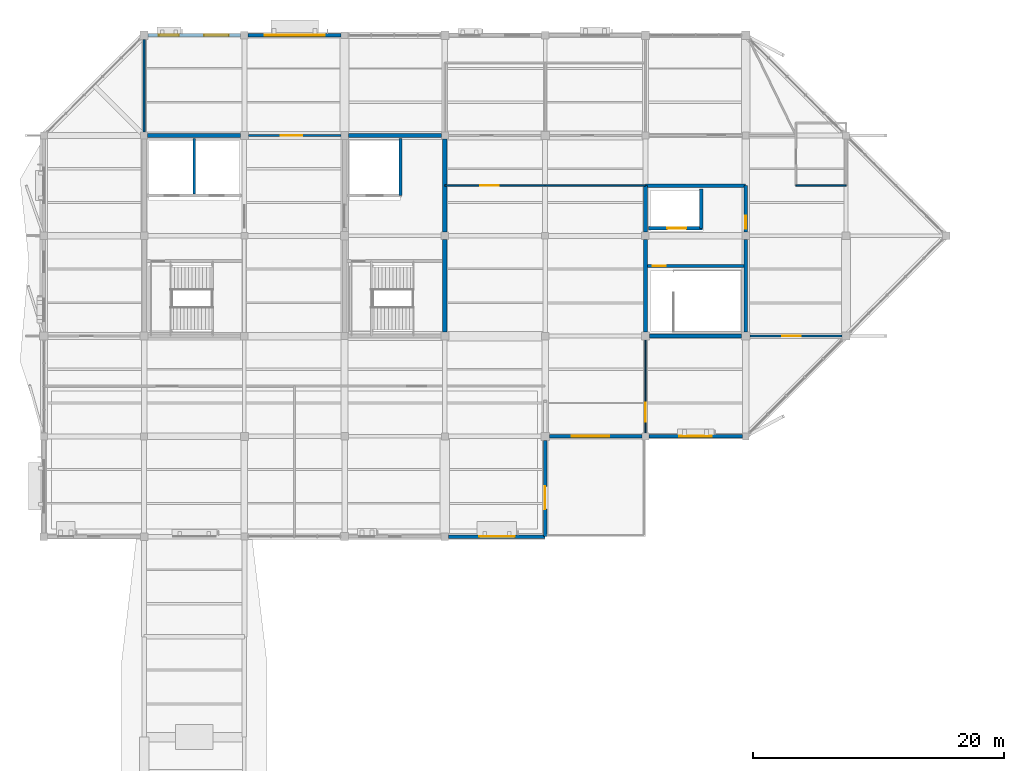
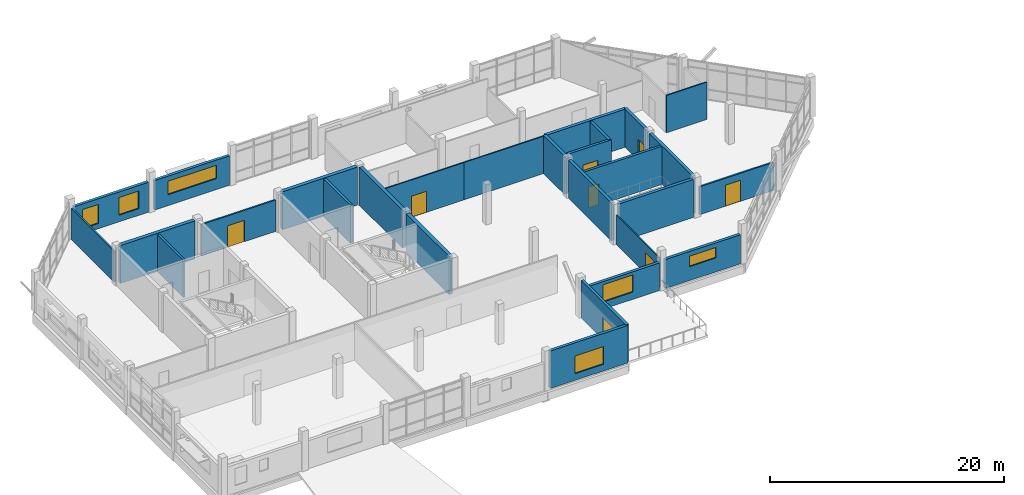
# One storey, part 65 of 72: 28 walls, 8 doors, 6 windows, 14 openings.
"""IFC4 building model written with IfcOpenShell, lengths in metres."""

from ifc_helpers import new_model, si_unit, direction, frame, frame_2d, origin, place, context, subcontext, project, spatial, rectangle, extrude, material, layer, layer_set, type_object, element, fill, save


model = new_model("IFC4")

# Units and contexts
model_context = context("Model", 3, precision=1e-05, world=origin(), true_north=direction((0.0, 1.0)))
body_context = subcontext(model_context, "Body", "Model", "MODEL_VIEW")
ifc_project = project(units=[si_unit("LENGTHUNIT", "METRE"), si_unit("AREAUNIT", "SQUARE_METRE"), si_unit("VOLUMEUNIT", "CUBIC_METRE"), si_unit("PLANEANGLEUNIT", "RADIAN"), si_unit("MASSUNIT", "GRAM", prefix="KILO")], contexts=[model_context])

# Site, building, storey
site_placement = place(None, origin())
site = spatial("IfcSite", under=ifc_project, at=site_placement, CompositionType="ELEMENT")
building_placement = place(site_placement, origin())
building = spatial("IfcBuilding", under=site, at=building_placement, Name="Tenunan Teduh Sports Hall", CompositionType="ELEMENT")
storey_placement = place(building_placement, frame((0.0, 0.0, 15.0)))
storey = spatial("IfcBuildingStorey", under=building, at=storey_placement, Name="L03", CompositionType="ELEMENT", Elevation=15.0)

# Wall
ifc_material_1 = material(Name="Concrete C40/50", Category="concrete")
ifc_layer_1 = layer(ifc_material_1, 0.25)
ifc_layer_set_1 = layer_set([ifc_layer_1], Name="Concrete C40/50")
wall_type_1 = type_object("IfcWallType", Name="WL-COR-250", PredefinedType="SOLIDWALL", material=ifc_layer_set_1)
wall_1_placement = place(storey_placement, frame((34.449951171875, 105.199951171875, 0.0), z_axis=(0.0, 0.0, 1.0), x_axis=(0.0, 1.0, 0.0)))
element("IfcWall", 1, at=wall_1_placement, inside=storey, type_object=wall_type_1, Name="WL-COR-L03-099", PredefinedType="SOLIDWALL", context=body_context, shape_type="SweptSolid", body=[
    extrude(rectangle(XDim=4.550048828125, YDim=0.25, at=frame_2d((2.27490234375, 0.0))), origin(), (0.0, 0.0, 1.0), 3.97998046875),
])

# Wall, opening, door
wall_2_placement = place(storey_placement, frame((54.14990234375, 99.60009765625, 0.0), z_axis=(0.0, 0.0, 1.0), x_axis=(1.0, 0.0, 0.0)))
wall_2 = element("IfcWall", 2, at=wall_2_placement, inside=storey, type_object=wall_type_1, Name="WL-COR-L03-151", PredefinedType="SOLIDWALL", context=body_context, shape_type="SweptSolid", body=[
    extrude(rectangle(XDim=7.7001953125, YDim=0.25, at=frame_2d((3.85009765625, 0.0))), origin(), (0.0, 0.0, 1.0), 3.97998046875),
])
opening_1_placement = place(wall_2_placement, frame((0.449951171875, 0.0, 0.0)))
opening_1 = element("IfcOpeningElement", 3, at=opening_1_placement, cuts=wall_2, Name="Opening FD-01", PredefinedType="OPENING", context=body_context, shape_type="SweptSolid", body=[
    extrude(rectangle(XDim=1.0, YDim=2.199951171875, at=frame_2d((0.5, 1.10009765625))), frame((0.0, 0.135009765625, 0.0), z_axis=(0.0, -1.0, 0.0), x_axis=(1.0, 0.0, 0.0)), (0.0, 0.0, 1.0), 0.27001953125),
])
ifc_material_2 = material(Name="Fire-rated steel leaf and frame", Category="steel")
door_type_1 = type_object("IfcDoorType", Name="FDR-01", OperationType="SINGLE_SWING_LEFT", PredefinedType="DOOR", material=ifc_material_2)
door_1_placement = place(opening_1_placement, frame((1.0, 0.0, 0.0), z_axis=(0.0, 0.0, 1.0), x_axis=(-1.0, 0.0, 0.0)))
door_1 = element("IfcDoor", 4, at=door_1_placement, inside=storey, type_object=door_type_1, Name="DR-INT-L03-057", OperationType="SINGLE_SWING_RIGHT", OverallHeight=2.199951171875, OverallWidth=1.0, PredefinedType="DOOR", context=body_context, shape_type="SweptSolid", body=[
    extrude(rectangle(XDim=1.0, YDim=2.199951171875, at=frame_2d((0.5, 1.10009765625))), frame((0.0, 0.02490234375, 0.0), z_axis=(0.0, -1.0, 0.0), x_axis=(1.0, 0.0, 0.0)), (0.0, 0.0, 1.0), 0.050048828125),
])
fill(opening_1, door_1)

wall_3_placement = place(storey_placement, frame((54.25, 102.60009765625, 0.0), z_axis=(0.0, 0.0, 1.0), x_axis=(1.0, 0.0, 0.0)))
wall_3 = element("IfcWall", 5, at=wall_3_placement, inside=storey, type_object=wall_type_1, Name="WL-COR-L03-152", PredefinedType="SOLIDWALL", context=body_context, shape_type="SweptSolid", body=[
    extrude(rectangle(XDim=4.300048828125, YDim=0.25, at=frame_2d((2.14990234375, 0.0))), origin(), (0.0, 0.0, 1.0), 3.97998046875),
])
opening_2_placement = place(wall_3_placement, frame((1.5, 0.0, 0.0)))
opening_2 = element("IfcOpeningElement", 6, at=opening_2_placement, cuts=wall_3, Name="Opening LD-3", PredefinedType="OPENING", context=body_context, shape_type="SweptSolid", body=[
    extrude(rectangle(XDim=1.5, YDim=2.300048828125, at=frame_2d((0.75, 1.14990234375))), frame((0.0, 0.135009765625, 0.0), z_axis=(0.0, -1.0, 0.0), x_axis=(1.0, 0.0, 0.0)), (0.0, 0.0, 1.0), 0.27001953125),
])
ifc_material_3 = material(Name="Goods lift stainless landing doors")
door_type_2 = type_object("IfcDoorType", Name="LDR-03", OperationType="DOUBLE_DOOR_SLIDING", PredefinedType="DOOR", material=ifc_material_3)
door_2_placement = place(opening_2_placement, origin())
door_2 = element("IfcDoor", 7, at=door_2_placement, inside=storey, type_object=door_type_2, Name="Lift Landing Door LD-23", OperationType="DOUBLE_DOOR_SLIDING", OverallHeight=2.300048828125, OverallWidth=1.5, PredefinedType="DOOR", context=body_context, shape_type="SweptSolid", body=[
    extrude(rectangle(XDim=1.5, YDim=2.300048828125, at=frame_2d((0.75, 1.14990234375))), frame((0.0, 0.02490234375, 0.0), z_axis=(0.0, -1.0, 0.0), x_axis=(1.0, 0.0, 0.0)), (0.0, 0.0, 1.0), 0.050048828125),
])
fill(opening_2, door_2)

# Wall
wall_4_placement = place(storey_placement, frame((58.449951171875, 102.60009765625, 0.0), z_axis=(0.0, 0.0, 1.0), x_axis=(0.0, 1.0, 0.0)))
element("IfcWall", 8, at=wall_4_placement, inside=storey, type_object=wall_type_1, Name="WL-COR-L03-153", PredefinedType="SOLIDWALL", context=body_context, shape_type="SweptSolid", body=[
    extrude(rectangle(XDim=3.14990234375, YDim=0.25, at=frame_2d((1.574951171875, 0.0))), origin(), (0.0, 0.0, 1.0), 3.97998046875),
])

# Wall, opening, window
ifc_material_4 = material(Name="Concrete C40/50", Category="concrete")
ifc_layer_2 = layer(ifc_material_4, 0.280029296875)
ifc_layer_set_2 = layer_set([ifc_layer_2], Name="Concrete C40/50")
wall_type_2 = type_object("IfcWallType", Name="WL-EXT-280", PredefinedType="SOLIDWALL", material=ifc_layer_set_2)
wall_5_placement = place(storey_placement, frame((38.300048828125, 78.0, 0.0), z_axis=(0.0, 0.0, 1.0), x_axis=(1.0, 0.0, 0.0)))
wall_5 = element("IfcWall", 9, at=wall_5_placement, inside=storey, type_object=wall_type_2, Name="WL-EXT-L03-197", PredefinedType="SOLIDWALL", context=body_context, shape_type="SweptSolid", body=[
    extrude(rectangle(XDim=7.699951171875, YDim=0.280029296875, at=frame_2d((3.85009765625, 0.0))), origin(), (0.0, 0.0, 1.0), 3.919921875),
])
opening_3_placement = place(wall_5_placement, frame((2.429931640625, 0.0, 0.699951171875)))
opening_3 = element("IfcOpeningElement", 10, at=opening_3_placement, cuts=wall_5, Name="Opening W-23", PredefinedType="OPENING", context=body_context, shape_type="SweptSolid", body=[
    extrude(rectangle(XDim=2.85009765625, YDim=1.85009765625, at=frame_2d((1.425048828125, 0.925048828125))), frame((0.0, 0.14990234375, 0.0), z_axis=(0.0, -1.0, 0.0), x_axis=(1.0, 0.0, 0.0)), (0.0, 0.0, 1.0), 0.300048828125),
])
ifc_material_5 = material(Name="Thermally broken aluminium and Low-E glazing", Category="aluminium")
window_type_1 = type_object("IfcWindowType", Name="WIN-23", PartitioningType="TRIPLE_PANEL_VERTICAL", PredefinedType="WINDOW", material=ifc_material_5)
window_1_placement = place(opening_3_placement, origin())
window_1 = element("IfcWindow", 11, at=window_1_placement, inside=storey, type_object=window_type_1, Name="WIN-L03-095", OverallHeight=1.85009765625, OverallWidth=2.85009765625, PartitioningType="SINGLE_PANEL", PredefinedType="WINDOW", context=body_context, shape_type="SweptSolid", body=[
    extrude(rectangle(XDim=2.85009765625, YDim=1.85009765625, at=frame_2d((1.425048828125, 0.925048828125))), frame((0.0, 0.030029296875, 0.0), z_axis=(0.0, -1.0, 0.0), x_axis=(1.0, 0.0, 0.0)), (0.0, 0.0, 1.0), 0.06005859375),
])
fill(opening_3, window_1)

# Wall, opening, door
wall_6_placement = place(storey_placement, frame((46.0, 78.0, 0.0), z_axis=(0.0, 0.0, 1.0), x_axis=(0.0, 1.0, 0.0)))
wall_6 = element("IfcWall", 12, at=wall_6_placement, inside=storey, type_object=wall_type_2, Name="WL-EXT-L03-198", PredefinedType="SOLIDWALL", context=body_context, shape_type="SweptSolid", body=[
    extrude(rectangle(XDim=7.675048828125, YDim=0.280029296875, at=frame_2d((3.83740234375, 0.0))), origin(), (0.0, 0.0, 1.0), 3.919921875),
])
opening_4_placement = place(wall_6_placement, frame((2.199951171875, 0.0, 0.0)))
opening_4 = element("IfcOpeningElement", 13, at=opening_4_placement, cuts=wall_6, Name="Opening ED-02", PredefinedType="OPENING", context=body_context, shape_type="SweptSolid", body=[
    extrude(rectangle(XDim=1.800048828125, YDim=2.300048828125, at=frame_2d((0.89990234375, 1.14990234375))), frame((0.0, 0.14990234375, 0.0), z_axis=(0.0, -1.0, 0.0), x_axis=(1.0, 0.0, 0.0)), (0.0, 0.0, 1.0), 0.300048828125),
])
ifc_material_6 = material(Name="Powder-coated aluminium and laminated safety glass", Category="aluminium")
door_type_3 = type_object("IfcDoorType", Name="EDR-02", OperationType="DOUBLE_DOOR_SINGLE_SWING", PredefinedType="DOOR", material=ifc_material_6)
door_3_placement = place(opening_4_placement, frame((1.800048828125, 0.0, 0.0), z_axis=(0.0, 0.0, 1.0), x_axis=(-1.0, 0.0, 0.0)))
door_3 = element("IfcDoor", 14, at=door_3_placement, inside=storey, type_object=door_type_3, Name="DR-EXT-L03-040", OperationType="DOUBLE_DOOR_SINGLE_SWING", OverallHeight=2.300048828125, OverallWidth=1.800048828125, PredefinedType="DOOR", context=body_context, shape_type="SweptSolid", body=[
    extrude(rectangle(XDim=1.800048828125, YDim=2.300048828125, at=frame_2d((0.89990234375, 1.14990234375))), frame((0.0, 0.02490234375, 0.0), z_axis=(0.0, -1.0, 0.0), x_axis=(1.0, 0.0, 0.0)), (0.0, 0.0, 1.0), 0.050048828125),
])
fill(opening_4, door_3)

# Wall, opening, window
wall_7_placement = place(storey_placement, frame((46.324951171875, 86.0, 0.0), z_axis=(0.0, 0.0, 1.0), x_axis=(1.0, 0.0, 0.0)))
wall_7 = element("IfcWall", 15, at=wall_7_placement, inside=storey, type_object=wall_type_2, Name="WL-EXT-L03-199", PredefinedType="SOLIDWALL", context=body_context, shape_type="SweptSolid", body=[
    extrude(rectangle(XDim=7.400146484375, YDim=0.280029296875, at=frame_2d((3.7001953125, 0.0))), origin(), (0.0, 0.0, 1.0), 2.8798828125),
])
opening_5_placement = place(wall_7_placement, frame((1.800048828125, 0.0, 0.75)))
opening_5 = element("IfcOpeningElement", 16, at=opening_5_placement, cuts=wall_7, Name="Opening W-04", PredefinedType="OPENING", context=body_context, shape_type="SweptSolid", body=[
    extrude(rectangle(XDim=3.0, YDim=1.800048828125, at=frame_2d((1.5, 0.89990234375))), frame((0.0, 0.14990234375, 0.0), z_axis=(0.0, -1.0, 0.0), x_axis=(1.0, 0.0, 0.0)), (0.0, 0.0, 1.0), 0.300048828125),
])
ifc_material_7 = material(Name="Thermally broken aluminium and Low-E glazing", Category="aluminium")
window_type_2 = type_object("IfcWindowType", Name="WIN-04", PartitioningType="TRIPLE_PANEL_VERTICAL", PredefinedType="WINDOW", material=ifc_material_7)
window_2_placement = place(opening_5_placement, origin())
window_2 = element("IfcWindow", 17, at=window_2_placement, inside=storey, type_object=window_type_2, Name="WIN-L03-096", OverallHeight=1.800048828125, OverallWidth=3.0, PartitioningType="SINGLE_PANEL", PredefinedType="WINDOW", context=body_context, shape_type="SweptSolid", body=[
    extrude(rectangle(XDim=3.0, YDim=1.800048828125, at=frame_2d((1.5, 0.89990234375))), frame((0.0, 0.030029296875, 0.0), z_axis=(0.0, -1.0, 0.0), x_axis=(1.0, 0.0, 0.0)), (0.0, 0.0, 1.0), 0.06005859375),
])
fill(opening_5, window_2)

wall_8_placement = place(storey_placement, frame((54.27490234375, 86.0, 0.0), z_axis=(0.0, 0.0, 1.0), x_axis=(1.0, 0.0, 0.0)))
wall_8 = element("IfcWall", 18, at=wall_8_placement, inside=storey, type_object=wall_type_2, Name="WL-EXT-L03-200", PredefinedType="SOLIDWALL", context=body_context, shape_type="SweptSolid", body=[
    extrude(rectangle(XDim=7.4501953125, YDim=0.280029296875, at=frame_2d((3.72509765625, 0.0))), origin(), (0.0, 0.0, 1.0), 3.030029296875),
])
opening_6_placement = place(wall_8_placement, frame((2.429931640625, 0.0, 1.449951171875)))
opening_6 = element("IfcOpeningElement", 19, at=opening_6_placement, cuts=wall_8, Name="Opening W-16", PredefinedType="OPENING", context=body_context, shape_type="SweptSolid", body=[
    extrude(rectangle(XDim=2.60009765625, YDim=1.10009765625, at=frame_2d((1.300048828125, 0.550048828125))), frame((0.0, 0.14990234375, 0.0), z_axis=(0.0, -1.0, 0.0), x_axis=(1.0, 0.0, 0.0)), (0.0, 0.0, 1.0), 0.300048828125),
])
ifc_material_8 = material(Name="Thermally broken aluminium and Low-E glazing", Category="aluminium")
window_type_3 = type_object("IfcWindowType", Name="WIN-16", PartitioningType="DOUBLE_PANEL_HORIZONTAL", PredefinedType="WINDOW", material=ifc_material_8)
window_3_placement = place(opening_6_placement, origin())
window_3 = element("IfcWindow", 20, at=window_3_placement, inside=storey, type_object=window_type_3, Name="WIN-L03-097", OverallHeight=1.10009765625, OverallWidth=2.60009765625, PartitioningType="SINGLE_PANEL", PredefinedType="WINDOW", context=body_context, shape_type="SweptSolid", body=[
    extrude(rectangle(XDim=2.60009765625, YDim=1.10009765625, at=frame_2d((1.300048828125, 0.550048828125))), frame((0.0, 0.030029296875, 0.0), z_axis=(0.0, -1.0, 0.0), x_axis=(1.0, 0.0, 0.0)), (0.0, 0.0, 1.0), 0.06005859375),
])
fill(opening_6, window_3)

wall_9_placement = place(storey_placement, frame((22.300048828125, 118.0, 0.0), z_axis=(0.0, 0.0, 1.0), x_axis=(1.0, 0.0, 0.0)))
wall_9 = element("IfcWall", 21, at=wall_9_placement, inside=storey, type_object=wall_type_2, Name="WL-EXT-L03-202", PredefinedType="SOLIDWALL", context=body_context, shape_type="SweptSolid", body=[
    extrude(rectangle(XDim=7.425048828125, YDim=0.280029296875, at=frame_2d((3.71240234375, 0.0))), origin(), (0.0, 0.0, 1.0), 3.080078125),
])
opening_7_placement = place(wall_9_placement, frame((1.31005859375, 0.0, 1.14990234375)))
opening_7 = element("IfcOpeningElement", 22, at=opening_7_placement, cuts=wall_9, Name="Opening W-12", PredefinedType="OPENING", context=body_context, shape_type="SweptSolid", body=[
    extrude(rectangle(XDim=4.800048828125, YDim=1.39990234375, at=frame_2d((2.39990234375, 0.699951171875))), frame((0.0, 0.14990234375, 0.0), z_axis=(0.0, -1.0, 0.0), x_axis=(1.0, 0.0, 0.0)), (0.0, 0.0, 1.0), 0.300048828125),
])
ifc_material_9 = material(Name="Thermally broken aluminium and Low-E glazing", Category="aluminium")
window_type_4 = type_object("IfcWindowType", Name="WIN-12", PartitioningType="TRIPLE_PANEL_HORIZONTAL", PredefinedType="WINDOW", material=ifc_material_9)
window_4_placement = place(opening_7_placement, origin())
window_4 = element("IfcWindow", 23, at=window_4_placement, inside=storey, type_object=window_type_4, Name="WIN-L03-100", OverallHeight=1.39990234375, OverallWidth=4.800048828125, PartitioningType="SINGLE_PANEL", PredefinedType="WINDOW", context=body_context, shape_type="SweptSolid", body=[
    extrude(rectangle(XDim=4.800048828125, YDim=1.39990234375, at=frame_2d((2.39990234375, 0.699951171875))), frame((0.0, 0.030029296875, 0.0), z_axis=(0.0, -1.0, 0.0), x_axis=(1.0, 0.0, 0.0)), (0.0, 0.0, 1.0), 0.06005859375),
])
fill(opening_7, window_4)

# Wall, openings, windows
ifc_material_10 = material(Name="Concrete C40/50", Category="concrete")
ifc_layer_3 = layer(ifc_material_10, 0.2900390625)
ifc_layer_set_3 = layer_set([ifc_layer_3], Name="Concrete C40/50")
wall_type_3 = type_object("IfcWallType", Name="WL-EXT-290", PredefinedType="SOLIDWALL", material=ifc_layer_set_3)
wall_10_placement = place(storey_placement, frame((14.324951171875, 118.0, 0.0), z_axis=(0.0, 0.0, 1.0), x_axis=(1.0, 0.0, 0.0)))
wall_10 = element("IfcWall", 24, at=wall_10_placement, inside=storey, type_object=wall_type_3, Name="WL-EXT-L03-201", PredefinedType="SOLIDWALL", context=body_context, shape_type="SweptSolid", body=[
    extrude(rectangle(XDim=7.375, YDim=0.2900390625, at=frame_2d((3.6875, 0.0))), origin(), (0.0, 0.0, 1.0), 3.1298828125),
])
opening_8_placement = place(wall_10_placement, frame((0.85009765625, 0.0, 0.550048828125)))
opening_8 = element("IfcOpeningElement", 25, at=opening_8_placement, cuts=wall_10, Name="Opening W-14", PredefinedType="OPENING", context=body_context, shape_type="SweptSolid", body=[
    extrude(rectangle(XDim=1.60009765625, YDim=2.0, at=frame_2d((0.800048828125, 1.0))), frame((0.0, 0.155029296875, 0.0), z_axis=(0.0, -1.0, 0.0), x_axis=(1.0, 0.0, 0.0)), (0.0, 0.0, 1.0), 0.31005859375),
])
opening_9_placement = place(wall_10_placement, frame((4.469970703125, 0.0, 0.699951171875)))
opening_9 = element("IfcOpeningElement", 26, at=opening_9_placement, cuts=wall_10, Name="Opening W-20", PredefinedType="OPENING", context=body_context, shape_type="SweptSolid", body=[
    extrude(rectangle(XDim=1.949951171875, YDim=1.85009765625, at=frame_2d((0.97509765625, 0.925048828125))), frame((0.0, 0.155029296875, 0.0), z_axis=(0.0, -1.0, 0.0), x_axis=(1.0, 0.0, 0.0)), (0.0, 0.0, 1.0), 0.31005859375),
])
ifc_material_11 = material(Name="Thermally broken aluminium and Low-E glazing", Category="aluminium")
window_type_5 = type_object("IfcWindowType", Name="WIN-14", PartitioningType="DOUBLE_PANEL_VERTICAL", PredefinedType="WINDOW", material=ifc_material_11)
window_5_placement = place(opening_8_placement, origin())
window_5 = element("IfcWindow", 27, at=window_5_placement, inside=storey, type_object=window_type_5, Name="WIN-L03-098", OverallHeight=2.0, OverallWidth=1.60009765625, PartitioningType="SINGLE_PANEL", PredefinedType="WINDOW", context=body_context, shape_type="SweptSolid", body=[
    extrude(rectangle(XDim=1.60009765625, YDim=2.0, at=frame_2d((0.800048828125, 1.0))), frame((0.0, 0.030029296875, 0.0), z_axis=(0.0, -1.0, 0.0), x_axis=(1.0, 0.0, 0.0)), (0.0, 0.0, 1.0), 0.06005859375),
])
fill(opening_8, window_5)
ifc_material_12 = material(Name="Thermally broken aluminium and Low-E glazing", Category="aluminium")
window_type_6 = type_object("IfcWindowType", Name="WIN-20", PartitioningType="DOUBLE_PANEL_VERTICAL", PredefinedType="WINDOW", material=ifc_material_12)
window_6_placement = place(opening_9_placement, origin())
window_6 = element("IfcWindow", 28, at=window_6_placement, inside=storey, type_object=window_type_6, Name="WIN-L03-099", OverallHeight=1.85009765625, OverallWidth=1.949951171875, PartitioningType="SINGLE_PANEL", PredefinedType="WINDOW", context=body_context, shape_type="SweptSolid", body=[
    extrude(rectangle(XDim=1.949951171875, YDim=1.85009765625, at=frame_2d((0.97509765625, 0.925048828125))), frame((0.0, 0.030029296875, 0.0), z_axis=(0.0, -1.0, 0.0), x_axis=(1.0, 0.0, 0.0)), (0.0, 0.0, 1.0), 0.06005859375),
])
fill(opening_9, window_6)

# Wall, opening, door
ifc_material_13 = material(Name="Lightweight steel stud partition", Category="steel")
ifc_layer_4 = layer(ifc_material_13, 0.110107421875)
ifc_layer_set_4 = layer_set([ifc_layer_4], Name="Lightweight steel stud partition")
wall_type_4 = type_object("IfcWallType", Name="WL-PRT-110", PredefinedType="PARTITIONING", material=ifc_layer_set_4)
wall_11_placement = place(storey_placement, frame((54.0, 86.27490234375, 0.0), z_axis=(0.0, 0.0, 1.0), x_axis=(0.0, 1.0, 0.0)))
wall_11 = element("IfcWall", 29, at=wall_11_placement, inside=storey, type_object=wall_type_4, Name="WL-PRT-L03-463", PredefinedType="PARTITIONING", context=body_context, shape_type="SweptSolid", body=[
    extrude(rectangle(XDim=7.400146484375, YDim=0.110107421875, at=frame_2d((3.7001953125, 0.0))), origin(), (0.0, 0.0, 1.0), 3.080078125),
])
opening_10_placement = place(wall_11_placement, frame((0.889892578125, 0.0, 0.0)))
opening_10 = element("IfcOpeningElement", 30, at=opening_10_placement, cuts=wall_11, Name="Opening ID-04", PredefinedType="OPENING", context=body_context, shape_type="SweptSolid", body=[
    extrude(rectangle(XDim=1.5, YDim=2.199951171875, at=frame_2d((0.75, 1.10009765625))), frame((0.0, 0.06494140625, 0.0), z_axis=(0.0, -1.0, 0.0), x_axis=(1.0, 0.0, 0.0)), (0.0, 0.0, 1.0), 0.130126953125),
])
ifc_material_14 = material(Name="Acoustic studio timber pair", Category="wood")
door_type_4 = type_object("IfcDoorType", Name="IDR-04", OperationType="DOUBLE_DOOR_SINGLE_SWING", PredefinedType="DOOR", material=ifc_material_14)
door_4_placement = place(opening_10_placement, origin())
door_4 = element("IfcDoor", 31, at=door_4_placement, inside=storey, type_object=door_type_4, Name="DR-INT-L03-179", OperationType="DOUBLE_DOOR_SINGLE_SWING", OverallHeight=2.199951171875, OverallWidth=1.5, PredefinedType="DOOR", context=body_context, shape_type="SweptSolid", body=[
    extrude(rectangle(XDim=1.5, YDim=2.199951171875, at=frame_2d((0.75, 1.10009765625))), frame((0.0, 0.02490234375, 0.0), z_axis=(0.0, -1.0, 0.0), x_axis=(1.0, 0.0, 0.0)), (0.0, 0.0, 1.0), 0.050048828125),
])
fill(opening_10, door_4)

ifc_material_15 = material(Name="Moisture-resistant masonry", Category="masonry")
ifc_layer_5 = layer(ifc_material_15, 0.125)
ifc_layer_set_5 = layer_set([ifc_layer_5], Name="Moisture-resistant masonry")
wall_type_5 = type_object("IfcWallType", Name="WL-PRT-125", PredefinedType="PARTITIONING", material=ifc_layer_set_5)
wall_12_placement = place(storey_placement, frame((38.0, 106.0, 0.0), z_axis=(0.0, 0.0, 1.0), x_axis=(1.0, 0.0, 0.0)))
wall_12 = element("IfcWall", 32, at=wall_12_placement, inside=storey, type_object=wall_type_5, Name="WL-PRT-L03-450", PredefinedType="PARTITIONING", context=body_context, shape_type="SweptSolid", body=[
    extrude(rectangle(XDim=8.0, YDim=0.125, at=frame_2d((4.0, 0.0))), origin(), (0.0, 0.0, 1.0), 3.89990234375),
])
opening_11_placement = place(wall_12_placement, frame((2.800048828125, 0.0, 0.0)))
opening_11 = element("IfcOpeningElement", 33, at=opening_11_placement, cuts=wall_12, Name="Opening ID-04", PredefinedType="OPENING", context=body_context, shape_type="SweptSolid", body=[
    extrude(rectangle(XDim=1.5, YDim=2.199951171875, at=frame_2d((0.75, 1.10009765625))), frame((0.0, 0.072509765625, 0.0), z_axis=(0.0, -1.0, 0.0), x_axis=(1.0, 0.0, 0.0)), (0.0, 0.0, 1.0), 0.14501953125),
])
door_5_placement = place(opening_11_placement, frame((1.5, 0.0, 0.0), z_axis=(0.0, 0.0, 1.0), x_axis=(-1.0, 0.0, 0.0)))
door_5 = element("IfcDoor", 34, at=door_5_placement, inside=storey, type_object=door_type_4, Name="DR-INT-L03-174", OperationType="DOUBLE_DOOR_SINGLE_SWING", OverallHeight=2.199951171875, OverallWidth=1.5, PredefinedType="DOOR", context=body_context, shape_type="SweptSolid", body=[
    extrude(rectangle(XDim=1.5, YDim=2.199951171875, at=frame_2d((0.75, 1.10009765625))), frame((0.0, 0.02490234375, 0.0), z_axis=(0.0, -1.0, 0.0), x_axis=(1.0, 0.0, 0.0)), (0.0, 0.0, 1.0), 0.050048828125),
])
fill(opening_11, door_5)

# Walls
wall_13_placement = place(storey_placement, frame((46.0, 106.0, 0.0), z_axis=(0.0, 0.0, 1.0), x_axis=(1.0, 0.0, 0.0)))
element("IfcWall", 35, at=wall_13_placement, inside=storey, type_object=wall_type_5, Name="WL-PRT-L03-451", PredefinedType="PARTITIONING", context=body_context, shape_type="SweptSolid", body=[
    extrude(rectangle(XDim=8.0, YDim=0.125, at=frame_2d((4.0, 0.0))), origin(), (0.0, 0.0, 1.0), 3.89990234375),
])
wall_14_placement = place(storey_placement, frame((66.0, 106.0, 0.0), z_axis=(0.0, 0.0, 1.0), x_axis=(1.0, 0.0, 0.0)))
element("IfcWall", 36, at=wall_14_placement, inside=storey, type_object=wall_type_5, Name="WL-PRT-L03-462", PredefinedType="PARTITIONING", context=body_context, shape_type="SweptSolid", body=[
    extrude(rectangle(XDim=4.0, YDim=0.125, at=frame_2d((2.0, 0.0))), origin(), (0.0, 0.0, 1.0), 3.89990234375),
])
ifc_material_16 = material(Name="Acoustic stud and double plasterboard")
ifc_layer_6 = layer(ifc_material_16, 0.14990234375)
ifc_layer_set_6 = layer_set([ifc_layer_6], Name="Acoustic stud and double plasterboard")
wall_type_6 = type_object("IfcWallType", Name="WL-PRT-150", PredefinedType="PARTITIONING", material=ifc_layer_set_6)
wall_15_placement = place(storey_placement, frame((14.0, 110.27490234375, 0.0), z_axis=(0.0, 0.0, 1.0), x_axis=(0.0, 1.0, 0.0)))
element("IfcWall", 37, at=wall_15_placement, inside=storey, type_object=wall_type_6, Name="WL-PRT-L03-447", PredefinedType="PARTITIONING", context=body_context, shape_type="SweptSolid", body=[
    extrude(rectangle(XDim=7.400146484375, YDim=0.14990234375, at=frame_2d((3.7001953125, 0.0))), origin(), (0.0, 0.0, 1.0), 3.22998046875),
])

# Wall, opening, door
wall_16_placement = place(storey_placement, frame((22.324951171875, 110.0, 0.0), z_axis=(0.0, 0.0, 1.0), x_axis=(1.0, 0.0, 0.0)))
wall_16 = element("IfcWall", 38, at=wall_16_placement, inside=storey, type_object=wall_type_6, Name="WL-PRT-L03-449", PredefinedType="PARTITIONING", context=body_context, shape_type="SweptSolid", body=[
    extrude(rectangle(XDim=7.375, YDim=0.14990234375, at=frame_2d((3.6875, 0.0))), origin(), (0.0, 0.0, 1.0), 3.280029296875),
])
opening_12_placement = place(wall_16_placement, frame((2.580078125, 0.0, 0.0)))
opening_12 = element("IfcOpeningElement", 39, at=opening_12_placement, cuts=wall_16, Name="Opening ID-05", PredefinedType="OPENING", context=body_context, shape_type="SweptSolid", body=[
    extrude(rectangle(XDim=1.699951171875, YDim=2.25, at=frame_2d((0.85009765625, 1.125))), frame((0.0, 0.0849609375, 0.0), z_axis=(0.0, -1.0, 0.0), x_axis=(1.0, 0.0, 0.0)), (0.0, 0.0, 1.0), 0.169921875),
])
ifc_material_17 = material(Name="Glazed concourse pair")
door_type_5 = type_object("IfcDoorType", Name="IDR-05", OperationType="DOUBLE_DOOR_SINGLE_SWING", PredefinedType="DOOR", material=ifc_material_17)
door_6_placement = place(opening_12_placement, frame((1.699951171875, 0.0, 0.0), z_axis=(0.0, 0.0, 1.0), x_axis=(-1.0, 0.0, 0.0)))
door_6 = element("IfcDoor", 40, at=door_6_placement, inside=storey, type_object=door_type_5, Name="DR-INT-L03-173", OperationType="DOUBLE_DOOR_SINGLE_SWING", OverallHeight=2.25, OverallWidth=1.699951171875, PredefinedType="DOOR", context=body_context, shape_type="SweptSolid", body=[
    extrude(rectangle(XDim=1.699951171875, YDim=2.25, at=frame_2d((0.85009765625, 1.125))), frame((0.0, 0.02490234375, 0.0), z_axis=(0.0, -1.0, 0.0), x_axis=(1.0, 0.0, 0.0)), (0.0, 0.0, 1.0), 0.050048828125),
])
fill(opening_12, door_6)

wall_17_placement = place(storey_placement, frame((62.324951171875, 94.0, 0.0), z_axis=(0.0, 0.0, 1.0), x_axis=(1.0, 0.0, 0.0)))
wall_17 = element("IfcWall", 41, at=wall_17_placement, inside=storey, type_object=wall_type_6, Name="WL-PRT-L03-464", PredefinedType="PARTITIONING", context=body_context, shape_type="SweptSolid", body=[
    extrude(rectangle(XDim=7.35009765625, YDim=0.14990234375, at=frame_2d((3.675048828125, 0.0))), origin(), (0.0, 0.0, 1.0), 2.929931640625),
])
opening_13_placement = place(wall_17_placement, frame((2.570068359375, 0.0, 0.0)))
opening_13 = element("IfcOpeningElement", 42, at=opening_13_placement, cuts=wall_17, Name="Opening FD-08", PredefinedType="OPENING", context=body_context, shape_type="SweptSolid", body=[
    extrude(rectangle(XDim=1.5, YDim=2.199951171875, at=frame_2d((0.75, 1.10009765625))), frame((0.0, 0.0849609375, 0.0), z_axis=(0.0, -1.0, 0.0), x_axis=(1.0, 0.0, 0.0)), (0.0, 0.0, 1.0), 0.169921875),
])
ifc_material_18 = material(Name="Fire-rated hardwood pair", Category="wood")
door_type_6 = type_object("IfcDoorType", Name="FDR-08", OperationType="DOUBLE_DOOR_SINGLE_SWING", PredefinedType="DOOR", material=ifc_material_18)
door_7_placement = place(opening_13_placement, origin())
door_7 = element("IfcDoor", 43, at=door_7_placement, inside=storey, type_object=door_type_6, Name="DR-INT-L03-180", OperationType="DOUBLE_DOOR_SINGLE_SWING", OverallHeight=2.199951171875, OverallWidth=1.5, PredefinedType="DOOR", context=body_context, shape_type="SweptSolid", body=[
    extrude(rectangle(XDim=1.5, YDim=2.199951171875, at=frame_2d((0.75, 1.10009765625))), frame((0.0, 0.02490234375, 0.0), z_axis=(0.0, -1.0, 0.0), x_axis=(1.0, 0.0, 0.0)), (0.0, 0.0, 1.0), 0.050048828125),
])
fill(opening_13, door_7)

# Walls
ifc_material_19 = material(Name="Autoclaved aerated concrete blockwork", Category="masonry")
ifc_layer_7 = layer(ifc_material_19, 0.199951171875)
ifc_layer_set_7 = layer_set([ifc_layer_7], Name="Autoclaved aerated concrete blockwork")
wall_type_7 = type_object("IfcWallType", Name="WL-PRT-200", PredefinedType="PARTITIONING", material=ifc_layer_set_7)
wall_18_placement = place(storey_placement, frame((18.0, 105.35009765625, 0.0), z_axis=(0.0, 0.0, 1.0), x_axis=(0.0, 1.0, 0.0)))
element("IfcWall", 44, at=wall_18_placement, inside=storey, type_object=wall_type_7, Name="WL-PRT-L03-045", PredefinedType="PARTITIONING", context=body_context, shape_type="SweptSolid", body=[
    extrude(rectangle(XDim=4.39990234375, YDim=0.199951171875, at=frame_2d((2.199951171875, 0.0))), origin(), (0.0, 0.0, 1.0), 3.89990234375),
])
ifc_material_20 = material(Name="Concrete C40/50", Category="concrete")
ifc_layer_8 = layer(ifc_material_20, 0.300048828125)
ifc_layer_set_8 = layer_set([ifc_layer_8], Name="Concrete C40/50")
wall_type_8 = type_object("IfcWallType", Name="WL-SHR-300", PredefinedType="SHEAR", material=ifc_layer_set_8)
wall_19_placement = place(storey_placement, frame((54.324951171875, 94.0, 0.0), z_axis=(0.0, 0.0, 1.0), x_axis=(1.0, 0.0, 0.0)))
element("IfcWall", 45, at=wall_19_placement, inside=storey, type_object=wall_type_8, Name="WL-COR-L03-145", PredefinedType="SHEAR", context=body_context, shape_type="SweptSolid", body=[
    extrude(rectangle(XDim=7.35009765625, YDim=0.300048828125, at=frame_2d((3.675048828125, 0.0))), origin(), (0.0, 0.0, 1.0), 3.97998046875),
])
wall_20_placement = place(storey_placement, frame((54.0, 106.0, 0.0), z_axis=(0.0, 0.0, 1.0), x_axis=(1.0, 0.0, 0.0)))
element("IfcWall", 46, at=wall_20_placement, inside=storey, type_object=wall_type_8, Name="WL-COR-L03-146", PredefinedType="SHEAR", context=body_context, shape_type="SweptSolid", body=[
    extrude(rectangle(XDim=8.0, YDim=0.300048828125, at=frame_2d((4.0, 0.0))), origin(), (0.0, 0.0, 1.0), 3.97998046875),
])
wall_21_placement = place(storey_placement, frame((54.0, 94.324951171875, 0.0), z_axis=(0.0, 0.0, 1.0), x_axis=(0.0, 1.0, 0.0)))
element("IfcWall", 47, at=wall_21_placement, inside=storey, type_object=wall_type_8, Name="WL-COR-L03-147", PredefinedType="SHEAR", context=body_context, shape_type="SweptSolid", body=[
    extrude(rectangle(XDim=7.375, YDim=0.300048828125, at=frame_2d((3.6875, 0.0))), origin(), (0.0, 0.0, 1.0), 3.97998046875),
])
wall_22_placement = place(storey_placement, frame((54.0, 102.300048828125, 0.0), z_axis=(0.0, 0.0, 1.0), x_axis=(0.0, 1.0, 0.0)))
element("IfcWall", 48, at=wall_22_placement, inside=storey, type_object=wall_type_8, Name="WL-COR-L03-148", PredefinedType="SHEAR", context=body_context, shape_type="SweptSolid", body=[
    extrude(rectangle(XDim=3.699951171875, YDim=0.300048828125, at=frame_2d((1.85009765625, 0.0))), origin(), (0.0, 0.0, 1.0), 3.97998046875),
])
wall_23_placement = place(storey_placement, frame((62.0, 94.324951171875, 0.0), z_axis=(0.0, 0.0, 1.0), x_axis=(0.0, 1.0, 0.0)))
element("IfcWall", 49, at=wall_23_placement, inside=storey, type_object=wall_type_8, Name="WL-COR-L03-149", PredefinedType="SHEAR", context=body_context, shape_type="SweptSolid", body=[
    extrude(rectangle(XDim=7.375, YDim=0.300048828125, at=frame_2d((3.6875, 0.0))), origin(), (0.0, 0.0, 1.0), 3.97998046875),
])

# Wall, opening, door
wall_24_placement = place(storey_placement, frame((62.0, 102.300048828125, 0.0), z_axis=(0.0, 0.0, 1.0), x_axis=(0.0, 1.0, 0.0)))
wall_24 = element("IfcWall", 50, at=wall_24_placement, inside=storey, type_object=wall_type_8, Name="WL-COR-L03-150", PredefinedType="SHEAR", context=body_context, shape_type="SweptSolid", body=[
    extrude(rectangle(XDim=3.699951171875, YDim=0.300048828125, at=frame_2d((1.85009765625, 0.0))), origin(), (0.0, 0.0, 1.0), 3.97998046875),
])
opening_14_placement = place(wall_24_placement, frame((0.25, 0.0, 0.0)))
opening_14 = element("IfcOpeningElement", 51, at=opening_14_placement, cuts=wall_24, Name="Opening FD-02", PredefinedType="OPENING", context=body_context, shape_type="SweptSolid", body=[
    extrude(rectangle(XDim=1.050048828125, YDim=2.199951171875, at=frame_2d((0.52490234375, 1.10009765625))), frame((0.0, 0.159912109375, 0.0), z_axis=(0.0, -1.0, 0.0), x_axis=(1.0, 0.0, 0.0)), (0.0, 0.0, 1.0), 0.320068359375),
])
ifc_material_21 = material(Name="Fire-rated steel leaf and frame", Category="steel")
door_type_7 = type_object("IfcDoorType", Name="FDR-02", OperationType="SINGLE_SWING_RIGHT", PredefinedType="DOOR", material=ifc_material_21)
door_8_placement = place(opening_14_placement, frame((1.050048828125, 0.0, 0.0), z_axis=(0.0, 0.0, 1.0), x_axis=(-1.0, 0.0, 0.0)))
door_8 = element("IfcDoor", 52, at=door_8_placement, inside=storey, type_object=door_type_7, Name="DR-INT-L03-056", OperationType="SINGLE_SWING_RIGHT", OverallHeight=2.199951171875, OverallWidth=1.050048828125, PredefinedType="DOOR", context=body_context, shape_type="SweptSolid", body=[
    extrude(rectangle(XDim=1.050048828125, YDim=2.199951171875, at=frame_2d((0.52490234375, 1.10009765625))), frame((0.0, 0.02490234375, 0.0), z_axis=(0.0, -1.0, 0.0), x_axis=(1.0, 0.0, 0.0)), (0.0, 0.0, 1.0), 0.050048828125),
])
fill(opening_14, door_8)

# Walls
ifc_material_22 = material(Name="Concrete C40/50", Category="concrete")
ifc_layer_9 = layer(ifc_material_22, 0.35009765625)
ifc_layer_set_9 = layer_set([ifc_layer_9], Name="Concrete C40/50")
wall_type_9 = type_object("IfcWallType", Name="WL-SHR-350", PredefinedType="SHEAR", material=ifc_layer_set_9)
wall_25_placement = place(storey_placement, frame((14.27490234375, 110.0, 0.0), z_axis=(0.0, 0.0, 1.0), x_axis=(1.0, 0.0, 0.0)))
element("IfcWall", 53, at=wall_25_placement, inside=storey, type_object=wall_type_9, Name="WL-COR-L03-038", PredefinedType="SHEAR", context=body_context, shape_type="SweptSolid", body=[
    extrude(rectangle(XDim=7.400146484375, YDim=0.35009765625, at=frame_2d((3.7001953125, 0.0))), origin(), (0.0, 0.0, 1.0), 3.97998046875),
])
wall_26_placement = place(storey_placement, frame((30.300048828125, 110.0, 0.0), z_axis=(0.0, 0.0, 1.0), x_axis=(1.0, 0.0, 0.0)))
element("IfcWall", 54, at=wall_26_placement, inside=storey, type_object=wall_type_9, Name="WL-COR-L03-092", PredefinedType="SHEAR", context=body_context, shape_type="SweptSolid", body=[
    extrude(rectangle(XDim=7.425048828125, YDim=0.35009765625, at=frame_2d((3.71240234375, 0.0))), origin(), (0.0, 0.0, 1.0), 3.97998046875),
])
wall_27_placement = place(storey_placement, frame((38.0, 94.324951171875, 0.0), z_axis=(0.0, 0.0, 1.0), x_axis=(0.0, 1.0, 0.0)))
element("IfcWall", 55, at=wall_27_placement, inside=storey, type_object=wall_type_9, Name="WL-COR-L03-095", PredefinedType="SHEAR", context=body_context, shape_type="SweptSolid", body=[
    extrude(rectangle(XDim=7.375, YDim=0.35009765625, at=frame_2d((3.6875, 0.0))), origin(), (0.0, 0.0, 1.0), 3.97998046875),
])
wall_28_placement = place(storey_placement, frame((38.0, 102.300048828125, 0.0), z_axis=(0.0, 0.0, 1.0), x_axis=(0.0, 1.0, 0.0)))
element("IfcWall", 56, at=wall_28_placement, inside=storey, type_object=wall_type_9, Name="WL-COR-L03-096", PredefinedType="SHEAR", context=body_context, shape_type="SweptSolid", body=[
    extrude(rectangle(XDim=7.425048828125, YDim=0.35009765625, at=frame_2d((3.71240234375, 0.0))), origin(), (0.0, 0.0, 1.0), 3.97998046875),
])

save(model, "model.ifc")
